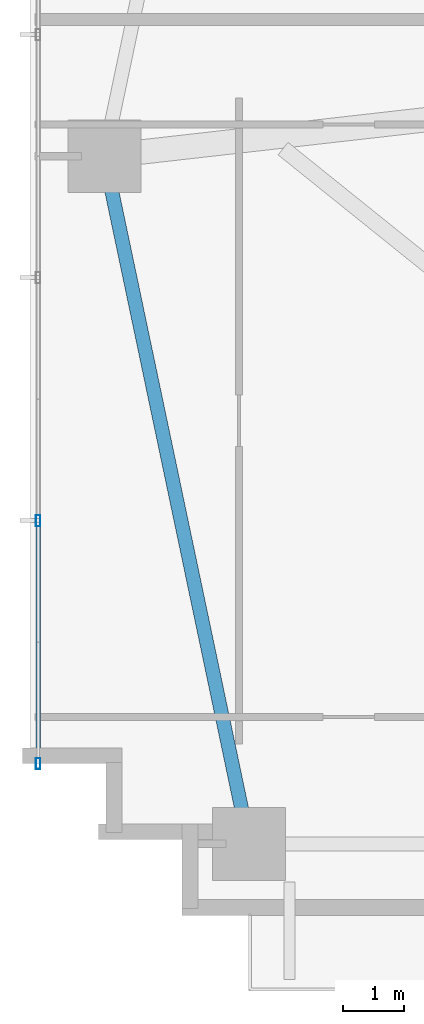
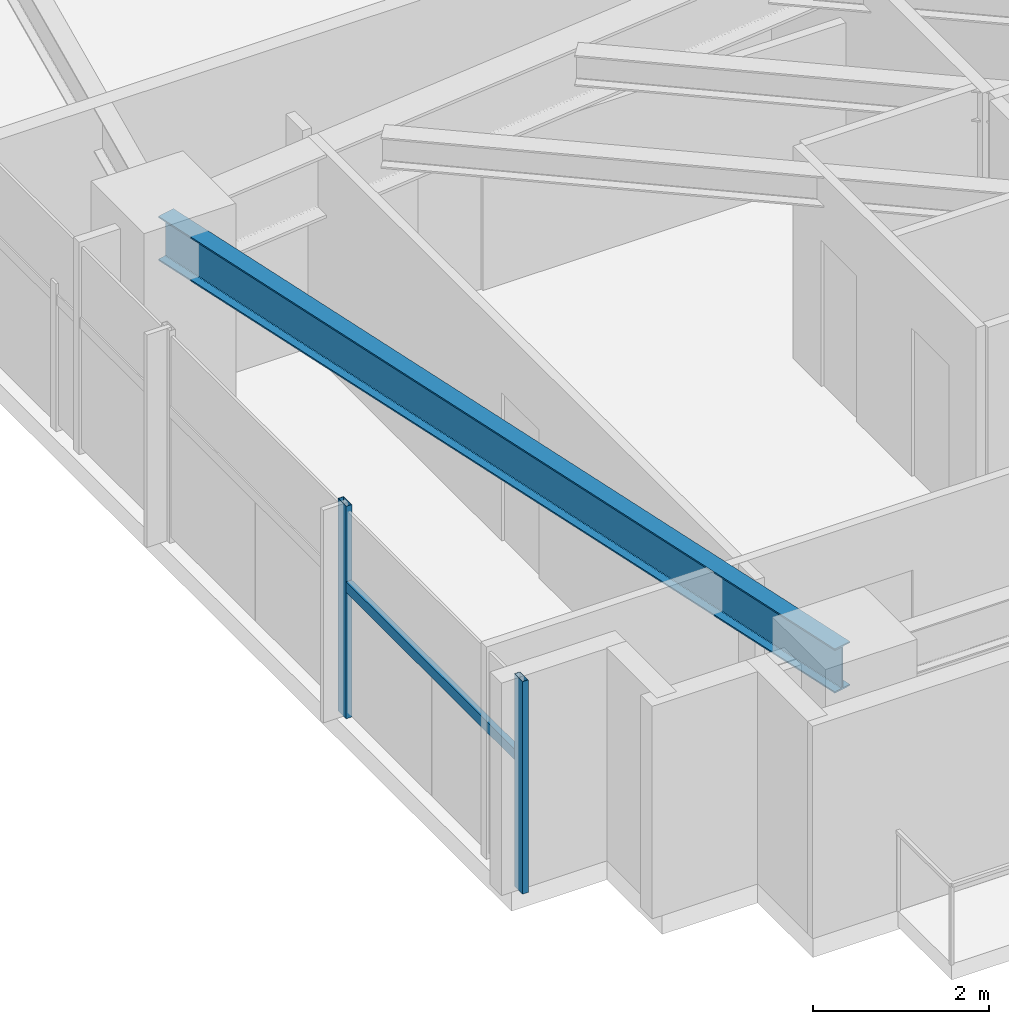
# One storey, part 2 of 25: 3 members, 1 beam, 1 element without a shape of its own.
"""IFC4 building model written with IfcOpenShell, lengths in metres."""

from ifc_helpers import new_model, si_unit, direction, frame, origin, origin_2d, place, context, subcontext, project, spatial, hollow_rectangle, i_section, extrude, source, transform, mapped, material, material_profile, profile_set, type_object, type_shapes, element, aggregate, save


model = new_model("IFC4")

# Units and contexts
model_context = context("Model", 3, precision=1e-05, world=origin(), true_north=direction((0.0, 1.0)))
body_context = subcontext(model_context, "Body", "Model", "MODEL_VIEW")
ifc_project = project(units=[si_unit("LENGTHUNIT", "METRE"), si_unit("AREAUNIT", "SQUARE_METRE"), si_unit("VOLUMEUNIT", "CUBIC_METRE"), si_unit("PLANEANGLEUNIT", "RADIAN"), si_unit("MASSUNIT", "GRAM", prefix="KILO")], contexts=[model_context])

# Site, building, storey
site_placement = place(None, origin())
site = spatial("IfcSite", under=ifc_project, at=site_placement, CompositionType="ELEMENT")
building_placement = place(site_placement, origin())
building = spatial("IfcBuilding", under=site, at=building_placement, Name="Astriad Promenade Condominiums", CompositionType="ELEMENT")
storey_placement = place(building_placement, frame((0.0, 0.0, 32.60009765625)))
storey = spatial("IfcBuildingStorey", under=building, at=storey_placement, Name="L08", CompositionType="ELEMENT", Elevation=32.60009765625)

# Beam
ifc_material_1 = material(Name="Steel ASTM A992 Grade 50", Category="steel")
ifc_material_profile_1 = material_profile(ifc_material_1, i_section(OverallWidth=0.22900390625, OverallDepth=0.612060546875, WebThickness=0.011962890625, FlangeThickness=0.01953125, FilletRadius=0.017822265625, at=origin_2d()), Name="W24X84")
ifc_profile_set_1 = profile_set([ifc_material_profile_1], Name="Steel ASTM A992 Grade 50")
beam_type = type_object("IfcBeamType", Name="STEEL SPANDREL BEAM W24X84", PredefinedType="SPANDREL", material=ifc_profile_set_1)
shared_shape_1 = source(origin(), body_context, "Body", "SweptSolid", [
    extrude(i_section(OverallWidth=0.22900390625, OverallDepth=0.612060546875, WebThickness=0.011962890625, FlangeThickness=0.01953125, FilletRadius=0.017822265625, at=origin_2d()), origin(), (0.0, 0.0, 1.0), 11.487548828125),
])
type_shapes(beam_type, [shared_shape_1])
beam_placement = place(storey_placement, frame((7.0283203125, 15.160888671875, 2.6337890625), z_axis=(0.205748055501, -0.978604995725, 0.0), x_axis=(0.978604995725, 0.205748055501, 0.0)))
element("IfcBeam", 1, at=beam_placement, inside=storey, type_object=beam_type, Name="Perimeter Spandrel Beam SP-W1-L08", PredefinedType="SPANDREL", context=body_context, shape_type="MappedRepresentation", body=[
    mapped(shared_shape_1, transform((0.0, 0.0, 0.0), scale=1.0)),
])

# Curtain wall, members
ifc_material_2 = material(Name="Anodised aluminium Black Dark Glass Unitised", Category="aluminium")
curtain_wall_type = type_object("IfcCurtainWallType", Name="CW-B1-DARK", PredefinedType="USERDEFINED", material=ifc_material_2)
curtain_wall_placement = place(storey_placement, origin())
curtain_wall = element("IfcCurtainWall", 2, at=curtain_wall_placement, inside=storey, type_object=curtain_wall_type, Name="CW-L08-W", ObjectType="UNITISED_CURTAIN_WALL", PredefinedType="USERDEFINED")
ifc_material_3 = material(Name="Anodised aluminium 6063-T6 Black", Category="aluminium")
ifc_material_profile_2 = material_profile(ifc_material_3, hollow_rectangle(XDim=0.074951171875, YDim=0.18505859375, WallThickness=0.00439453125, at=origin_2d()), Name="ALU-MUL-75X185")
ifc_profile_set_2 = profile_set([ifc_material_profile_2], Name="Anodised aluminium 6063-T6 Black")
member_type_1 = type_object("IfcMemberType", Name="MUL-ALU-MUL-75X185", PredefinedType="MULLION", material=ifc_profile_set_2)
shared_shape_2 = source(origin(), body_context, "Body", "SweptSolid", [
    extrude(hollow_rectangle(XDim=0.074951171875, YDim=0.18505859375, WallThickness=0.00439453125, at=origin_2d()), origin(), (0.0, 0.0, 1.0), 2.93994140625),
])
type_shapes(member_type_1, [shared_shape_2])
member_1_placement = place(storey_placement, frame((5.929931640625, 5.199951171875, 0.0), z_axis=(0.0, 0.0, 1.0), x_axis=(1.0, 0.0, 0.0)))
member_1 = element("IfcMember", 3, at=member_1_placement, type_object=member_type_1, Name="CW-L08-W-MUL-00", PredefinedType="MULLION", context=body_context, shape_type="MappedRepresentation", body=[
    mapped(shared_shape_2, transform((0.0, 0.0, 0.0), scale=1.0)),
])
member_2_placement = place(storey_placement, frame((5.929931640625, 9.199951171875, 0.0), z_axis=(0.0, 0.0, 1.0), x_axis=(1.0, 0.0, 0.0)))
member_2 = element("IfcMember", 4, at=member_2_placement, type_object=member_type_1, Name="CW-L08-W-MUL-01", PredefinedType="MULLION", context=body_context, shape_type="MappedRepresentation", body=[
    mapped(shared_shape_2, transform((0.0, 0.0, 0.0), scale=1.0)),
])
ifc_material_profile_3 = material_profile(ifc_material_3, hollow_rectangle(XDim=0.074951171875, YDim=0.14990234375, WallThickness=0.004150390625, at=origin_2d()), Name="ALU-TRN-75X150")
ifc_profile_set_3 = profile_set([ifc_material_profile_3], Name="Anodised aluminium 6063-T6 Black")
member_type_2 = type_object("IfcMemberType", Name="TRN-ALU-TRN-75X150", PredefinedType="USERDEFINED", material=ifc_profile_set_3)
shared_shape_3 = source(origin(), body_context, "Body", "SweptSolid", [
    extrude(hollow_rectangle(XDim=0.074951171875, YDim=0.14990234375, WallThickness=0.004150390625, at=origin_2d()), origin(), (0.0, 0.0, 1.0), 4.0),
])
type_shapes(member_type_2, [shared_shape_3])
member_3_placement = place(storey_placement, frame((5.929931640625, 5.199951171875, 1.82275390625), z_axis=(0.0, 1.0, 0.0), x_axis=(-1.0, 0.0, 0.0)))
member_3 = element("IfcMember", 5, at=member_3_placement, type_object=member_type_2, Name="CW-L08-W-TRN-00-0", ObjectType="TRANSOM", PredefinedType="USERDEFINED", context=body_context, shape_type="MappedRepresentation", body=[
    mapped(shared_shape_3, transform((0.0, 0.0, 0.0), scale=1.0)),
])
aggregate(curtain_wall, [member_1, member_2, member_3])

save(model, "model.ifc")
